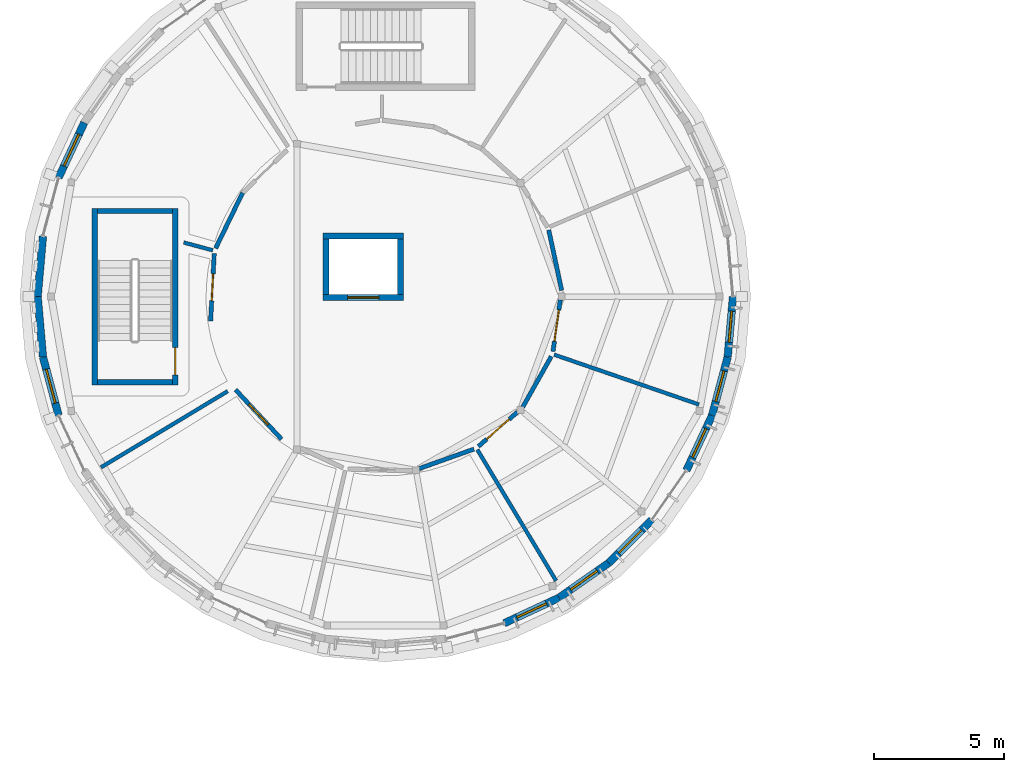
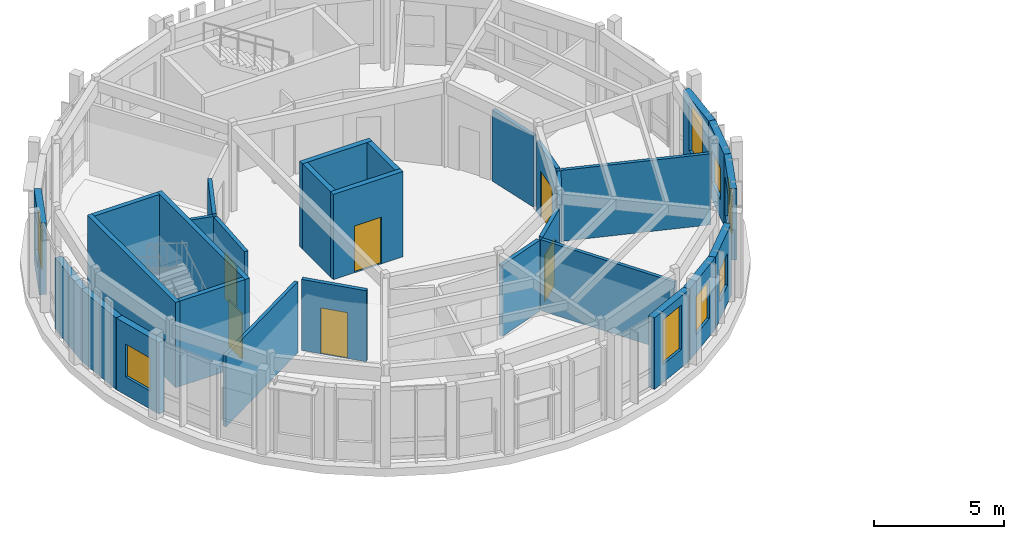
# One storey, part 19 of 30: 30 walls, 8 windows, 6 doors, 14 openings.
"""IFC4 building model written with IfcOpenShell, lengths in metres."""

import ifcopenshell
import ifcopenshell.guid

model = None  # the IFC model being written
_history = None  # IfcOwnerHistory: only IFC2X3 demands one
_inside = {}  # id of a spatial element -> (the spatial element, [elements in it])
_under = {}  # id of a project, library or spatial element -> (it, [spatial elements below it])
_declared = {}  # id of a project -> (the project, [libraries it declares])
_typed = {}  # id of a type object -> (the type object, [elements of that type])
_made_of = {}  # id of a material, layer set ... -> (it, [elements and type objects made of it])


def new_model(schema):
    """Start an empty IFC model of exactly this schema.

    Asked for "IFC4X3", IfcOpenShell would pick the latest addendum, in which some entities
    have other attributes; the version numbers below select the first issue.
    IFC2X3 requires an IfcOwnerHistory on every rooted entity: one is made here for all.
    """
    global model, _history
    if schema == "IFC4X3":
        model = ifcopenshell.file(schema_version=(4, 3, 0, 0))
    else:
        model = ifcopenshell.file(schema=schema)
    _inside.clear()
    _under.clear()
    _declared.clear()
    _typed.clear()
    _made_of.clear()
    _history = None
    if model.schema == "IFC2X3":
        org = make("IfcOrganization", Name="unknown")
        user = make(
            "IfcPersonAndOrganization",
            ThePerson=make("IfcPerson", FamilyName="unknown"),
            TheOrganization=org,
        )
        app = make(
            "IfcApplication",
            ApplicationDeveloper=org,
            Version="unknown",
            ApplicationFullName="unknown",
            ApplicationIdentifier="unknown",
        )
        _history = make(
            "IfcOwnerHistory",
            OwningUser=user,
            OwningApplication=app,
            ChangeAction="ADDED",
            CreationDate=0,
        )
    return model


def make(cls, **values):
    """One entity of the class cls with the attributes given. An attribute that is None is left unset."""
    return model.create_entity(
        cls, **{name: value for name, value in values.items() if value is not None}
    )


def rooted(cls, **values):
    """An entity with a GlobalId (a new one), such as an element, a storey or a relation."""
    return make(cls, GlobalId=ifcopenshell.guid.new(), OwnerHistory=_history, **values)


def si_unit(unit_type, name, prefix=None):
    """IfcSIUnit, for example si_unit("LENGTHUNIT", "METRE", prefix="MILLI")."""
    return make("IfcSIUnit", UnitType=unit_type, Prefix=prefix, Name=name)


def assignment(units):
    """IfcUnitAssignment: the units of a project."""
    return None if units is None else make("IfcUnitAssignment", Units=units)


def point(xyz):
    """IfcCartesianPoint."""
    return None if xyz is None else make("IfcCartesianPoint", Coordinates=xyz)


def direction(xyz):
    """IfcDirection."""
    return None if xyz is None else make("IfcDirection", DirectionRatios=xyz)


def frame(location, z_axis=None, x_axis=None):
    """IfcAxis2Placement3D, a coordinate frame: its origin and axes. An axis left out is left unset."""
    return make(
        "IfcAxis2Placement3D",
        Location=point(location),
        Axis=direction(z_axis),
        RefDirection=direction(x_axis),
    )


def frame_2d(location, x_axis=None):
    """IfcAxis2Placement2D, a coordinate frame in the plane: its origin and x axis."""
    return make(
        "IfcAxis2Placement2D", Location=point(location), RefDirection=direction(x_axis)
    )


def origin():
    """The frame at (0, 0, 0) with its axes left unset."""
    return frame((0.0, 0.0, 0.0))


def place(relative_to, where):
    """IfcLocalPlacement: puts the frame where relative to a parent placement (None: the world)."""
    return make(
        "IfcLocalPlacement", PlacementRelTo=relative_to, RelativePlacement=where
    )


def context(
    kind, dimensions, precision=None, world=None, true_north=None, identifier=None
):
    """IfcGeometricRepresentationContext, for example the 3D "Model" context."""
    return make(
        "IfcGeometricRepresentationContext",
        ContextIdentifier=identifier,
        ContextType=kind,
        CoordinateSpaceDimension=dimensions,
        Precision=precision,
        WorldCoordinateSystem=world,
        TrueNorth=true_north,
    )


def subcontext(parent, identifier, kind, view, scale=None):
    """IfcGeometricRepresentationSubContext, for example "Body" below "Model"."""
    return make(
        "IfcGeometricRepresentationSubContext",
        ContextIdentifier=identifier,
        ContextType=kind,
        ParentContext=parent,
        TargetScale=scale,
        TargetView=view,
    )


def project(units=None, contexts=None):
    """IfcProject with its units and contexts."""
    return rooted(
        "IfcProject",
        Name="project",
        RepresentationContexts=contexts,
        UnitsInContext=assignment(units),
    )


def spatial(cls, under=None, at=None, **own):
    """A site, building, storey or space (cls), placed at a placement, below another one or the project."""
    s = rooted(cls, ObjectPlacement=at, **own)
    if under is not None:
        _under.setdefault(under.id(), (under, []))[1].append(s)
    return s


def profile(cls, at=None, kind="AREA", **sizes):
    """A parametric profile (cls). Its sizes go by their IFC names, for example OverallWidth=200.0."""
    return make(cls, ProfileType=kind, Position=at, **sizes)


def rectangle(**sizes):
    """IfcRectangleProfileDef."""
    return profile("IfcRectangleProfileDef", **sizes)


def extrude(swept, where, along, depth):
    """IfcExtrudedAreaSolid: the profile swept, set in the frame where, extruded along a direction by depth."""
    return make(
        "IfcExtrudedAreaSolid",
        SweptArea=swept,
        Position=where,
        ExtrudedDirection=direction(along),
        Depth=depth,
    )


def shape(context_of_items, identifier, shape_type, items):
    """IfcShapeRepresentation: the items that make up one representation, for example the "Body"."""
    return make(
        "IfcShapeRepresentation",
        ContextOfItems=context_of_items,
        RepresentationIdentifier=identifier,
        RepresentationType=shape_type,
        Items=items,
    )


def material(Name=None, Category=None):
    """IfcMaterial."""
    return make("IfcMaterial", Name=Name, Category=Category)


def layer(
    of_material, thickness, ventilated=None, Name=None, Category=None, Priority=None
):
    """IfcMaterialLayer: one layer of a wall or slab, of a material (None: an air gap)."""
    return make(
        "IfcMaterialLayer",
        Material=of_material,
        LayerThickness=thickness,
        IsVentilated=ventilated,
        Name=Name,
        Category=Category,
        Priority=Priority,
    )


def layer_set(layers, Name=None):
    """IfcMaterialLayerSet."""
    return make("IfcMaterialLayerSet", MaterialLayers=layers, LayerSetName=Name)


def made_of(thing, what):
    """Note that an element or type object is made of a material, layer set ...; save() writes the relation."""
    if what is not None:
        _made_of.setdefault(what.id(), (what, []))[1].append(thing)
    return thing


def type_object(cls, material=None, **own):
    """A type object (cls), such as IfcWallType, which elements share."""
    return made_of(rooted(cls, **own), material)


def element(
    cls,
    number,
    at=None,
    inside=None,
    cuts=None,
    type_object=None,
    material=None,
    context=None,
    identifier="Body",
    shape_type=None,
    held_by="IfcProductDefinitionShape",
    body=None,
    shapes=None,
    **own,
):
    """One element of the class cls, such as IfcWall. Its Tag is "e" and its number.

    at: its placement. inside: the storey or other place that contains it. cuts: it is an
    opening in that element (IfcRelVoidsElement). A single representation is given by context,
    identifier, shape_type and body (its items); several are given by shapes. held_by: the class
    of the entity that holds the representations. save() writes the other relations.
    """
    e = rooted(cls, Tag="e%d" % number, ObjectPlacement=at, **own)
    if body is not None:
        shapes = [shape(context, identifier, shape_type, body)]
    if shapes is not None:
        e.Representation = make(held_by, Representations=shapes)
    if inside is not None:
        _inside.setdefault(inside.id(), (inside, []))[1].append(e)
    if cuts is not None:
        rooted(
            "IfcRelVoidsElement", RelatingBuildingElement=cuts, RelatedOpeningElement=e
        )
    if type_object is not None:
        _typed.setdefault(type_object.id(), (type_object, []))[1].append(e)
    return made_of(e, material)


def fill(opening, filler):
    """IfcRelFillsElement: the door or window that sits in an opening."""
    return rooted(
        "IfcRelFillsElement",
        RelatingOpeningElement=opening,
        RelatedBuildingElement=filler,
    )


def aggregate(whole, parts):
    """IfcRelAggregates: a whole, such as a stair, and the parts it consists of."""
    return rooted("IfcRelAggregates", RelatingObject=whole, RelatedObjects=parts)


def save(model, path):
    """Write the relations noted so far, then the file.

    IfcRelAggregates (storeys below a building ...), IfcRelContainedInSpatialStructure (elements
    in a storey), IfcRelDefinesByType, IfcRelAssociatesMaterial and IfcRelDeclares: one each for
    every whole, place, type object, material and project.
    """
    for whole, parts in _under.values():
        aggregate(whole, parts)
    for where, things in _inside.values():
        rooted(
            "IfcRelContainedInSpatialStructure",
            RelatedElements=things,
            RelatingStructure=where,
        )
    for kind, things in _typed.values():
        rooted("IfcRelDefinesByType", RelatedObjects=things, RelatingType=kind)
    for what, things in _made_of.values():
        rooted("IfcRelAssociatesMaterial", RelatedObjects=things, RelatingMaterial=what)
    for by, libraries in _declared.values():
        rooted("IfcRelDeclares", RelatingContext=by, RelatedDefinitions=libraries)
    model.write(path)


model = new_model("IFC4")

# Units and contexts
model_context = context("Model", 3, precision=1e-05, world=origin(), true_north=direction((0.0, 1.0)))
body_context = subcontext(model_context, "Body", "Model", "MODEL_VIEW")
ifc_project = project(units=[si_unit("LENGTHUNIT", "METRE"), si_unit("AREAUNIT", "SQUARE_METRE"), si_unit("VOLUMEUNIT", "CUBIC_METRE"), si_unit("PLANEANGLEUNIT", "RADIAN"), si_unit("MASSUNIT", "GRAM", prefix="KILO")], contexts=[model_context])

# Site, building, storey
site_placement = place(None, origin())
site = spatial("IfcSite", under=ifc_project, at=site_placement, CompositionType="ELEMENT")
building_placement = place(site_placement, origin())
building = spatial("IfcBuilding", under=site, at=building_placement, Name="Aldenvaro Health Centre", CompositionType="ELEMENT")
storey_placement = place(building_placement, frame((0.0, 0.0, 17.14990234375)))
storey = spatial("IfcBuildingStorey", under=building, at=storey_placement, Name="L04", CompositionType="ELEMENT", Elevation=17.14990234375)

# Walls
ifc_material_1 = material(Name="Gypsum Stud Acoustic Assembly")
ifc_layer_1 = layer(ifc_material_1, 0.14501953125, Name="Gypsum Stud Acoustic Assembly")
ifc_layer_set_1 = layer_set([ifc_layer_1], Name="Gypsum Stud Acoustic Assembly")
wall_type_1 = type_object("IfcWallType", Name="WL-CLN-145", PredefinedType="PARTITIONING", material=ifc_layer_set_1)
wall_1_placement = place(storey_placement, frame((11.85205078125, 101.281005859375, 0.0), z_axis=(0.0, 0.0, 1.0), x_axis=(-0.965846685591, 0.259114221787, 0.0)))
element("IfcWall", 1, at=wall_1_placement, inside=storey, type_object=wall_type_1, Name="D4 L04 clinical partition 2.1", PredefinedType="PARTITIONING", context=body_context, shape_type="SweptSolid", body=[
    extrude(rectangle(XDim=1.161865234375, YDim=0.14501953125, at=frame_2d((0.5810546875, 0.0))), origin(), (0.0, 0.0, 1.0), 3.343994140625),
])
wall_2_placement = place(storey_placement, frame((12.425048828125, 95.85009765625, 0.0), z_axis=(0.0, 0.0, 1.0), x_axis=(-0.857148493381, -0.515069374255, 0.0)))
element("IfcWall", 2, at=wall_2_placement, inside=storey, type_object=wall_type_1, Name="D4 L04 clinical partition 3.2", PredefinedType="PARTITIONING", context=body_context, shape_type="SweptSolid", body=[
    extrude(rectangle(XDim=5.694580078125, YDim=0.14501953125, at=frame_2d((2.84716796875, 0.0))), origin(), (0.0, 0.0, 1.0), 3.343994140625),
])
wall_3_placement = place(storey_placement, frame((22.044921875, 93.60009765625, 0.0), z_axis=(0.0, 0.0, 1.0), x_axis=(0.515043444679, -0.857164074197, 0.0)))
element("IfcWall", 3, at=wall_3_placement, inside=storey, type_object=wall_type_1, Name="D4 L04 clinical partition 5.1", PredefinedType="PARTITIONING", context=body_context, shape_type="SweptSolid", body=[
    extrude(rectangle(XDim=5.898681640625, YDim=0.14501953125, at=frame_2d((2.94921875, 0.0))), origin(), (0.0, 0.0, 1.0), 3.343994140625),
])
wall_4_placement = place(storey_placement, frame((25.008056640625, 97.259033203125, 0.0), z_axis=(0.0, 0.0, 1.0), x_axis=(0.945537377012, -0.325513546068, 0.0)))
element("IfcWall", 4, at=wall_4_placement, inside=storey, type_object=wall_type_1, Name="D4 L04 clinical partition 6.1", PredefinedType="PARTITIONING", context=body_context, shape_type="SweptSolid", body=[
    extrude(rectangle(XDim=5.898193359375, YDim=0.14501953125, at=frame_2d((2.94921875, 0.0))), origin(), (0.0, 0.0, 1.0), 3.343994140625),
])
ifc_layer_2 = layer(ifc_material_1, 0.1650390625, Name="Gypsum Stud Acoustic Assembly")
ifc_layer_set_2 = layer_set([ifc_layer_2], Name="Gypsum Stud Acoustic Assembly")
wall_type_2 = type_object("IfcWallType", Name="WL-COR-165", PredefinedType="PARTITIONING", material=ifc_layer_set_2)
wall_5_placement = place(storey_placement, frame((12.9990234375, 103.4970703125, 0.0), z_axis=(0.0, 0.0, 1.0), x_axis=(-0.437088964267, -0.899418277175, 0.0)))
element("IfcWall", 5, at=wall_5_placement, inside=storey, type_object=wall_type_2, Name="D4 L04 corridor wall 01.2", PredefinedType="PARTITIONING", context=body_context, shape_type="SweptSolid", body=[
    extrude(rectangle(XDim=2.37939453125, YDim=0.1650390625, at=frame_2d((1.189697265625, 0.0))), origin(), (0.0, 0.0, 1.0), 3.343994140625),
])

# Wall, opening, door
wall_6_placement = place(storey_placement, frame((11.906005859375, 101.162109375, 0.0), z_axis=(0.0, 0.0, 1.0), x_axis=(-0.053559631757, -0.998564652812, 0.0)))
wall_6 = element("IfcWall", 6, at=wall_6_placement, inside=storey, type_object=wall_type_2, Name="D4 L04 corridor wall 02.1", PredefinedType="PARTITIONING", context=body_context, shape_type="SweptSolid", body=[
    extrude(rectangle(XDim=2.61181640625, YDim=0.1650390625, at=frame_2d((1.305908203125, 0.0))), origin(), (0.0, 0.0, 1.0), 3.343994140625),
])
opening_1_placement = place(wall_6_placement, frame((0.785888671875, 0.0, 0.0)))
opening_1 = element("IfcOpeningElement", 7, at=opening_1_placement, cuts=wall_6, Name="Opening D-04", PredefinedType="OPENING", context=body_context, shape_type="SweptSolid", body=[
    extrude(rectangle(XDim=1.0400390625, YDim=2.139892578125, at=frame_2d((0.52001953125, 1.06982421875))), frame((0.0, 0.092529296875, 0.0), z_axis=(0.0, -1.0, 0.0), x_axis=(1.0, 0.0, 0.0)), (0.0, 0.0, 1.0), 0.18505859375),
])
ifc_material_2 = material(Name="Solid Core Acoustic Timber Door", Category="wood")
door_type_1 = type_object("IfcDoorType", Name="DR-CLN-04", OperationType="NOTDEFINED", PredefinedType="DOOR", material=ifc_material_2)
door_1_placement = place(opening_1_placement, origin())
door_1 = element("IfcDoor", 8, at=door_1_placement, inside=storey, type_object=door_type_1, Name="Audiology Booth and ENT Clinic Door", OperationType="SINGLE_SWING_RIGHT", OverallHeight=2.139892578125, OverallWidth=1.0400390625, PredefinedType="DOOR", context=body_context, shape_type="SweptSolid", body=[
    extrude(rectangle(XDim=1.0400390625, YDim=2.139892578125, at=frame_2d((0.52001953125, 1.06982421875))), frame((0.0, 0.02490234375, 0.0), z_axis=(0.0, -1.0, 0.0), x_axis=(1.0, 0.0, 0.0)), (0.0, 0.0, 1.0), 0.050048828125),
])
fill(opening_1, door_1)

wall_7_placement = place(storey_placement, frame((12.72412109375, 95.912109375, 0.0), z_axis=(0.0, 0.0, 1.0), x_axis=(0.680938469168, -0.732340631952, 0.0)))
wall_7 = element("IfcWall", 9, at=wall_7_placement, inside=storey, type_object=wall_type_2, Name="D4 L04 corridor wall 03.1", PredefinedType="PARTITIONING", context=body_context, shape_type="SweptSolid", body=[
    extrude(rectangle(XDim=2.6123046875, YDim=0.1650390625, at=frame_2d((1.30615234375, 0.0))), origin(), (0.0, 0.0, 1.0), 3.343994140625),
])
opening_2_placement = place(wall_7_placement, frame((0.76611328125, 0.0, 0.0)))
opening_2 = element("IfcOpeningElement", 10, at=opening_2_placement, cuts=wall_7, Name="Opening D-05", PredefinedType="OPENING", context=body_context, shape_type="SweptSolid", body=[
    extrude(rectangle(XDim=1.080078125, YDim=2.159912109375, at=frame_2d((0.5400390625, 1.080078125))), frame((0.0, 0.092529296875, 0.0), z_axis=(0.0, -1.0, 0.0), x_axis=(1.0, 0.0, 0.0)), (0.0, 0.0, 1.0), 0.18505859375),
])
door_type_2 = type_object("IfcDoorType", Name="DR-CLN-05", OperationType="NOTDEFINED", PredefinedType="DOOR", material=ifc_material_2)
door_2_placement = place(opening_2_placement, origin())
door_2 = element("IfcDoor", 11, at=door_2_placement, inside=storey, type_object=door_type_2, Name="Ophthalmology Vision Suite Door", OperationType="SINGLE_SWING_LEFT", OverallHeight=2.159912109375, OverallWidth=1.080078125, PredefinedType="DOOR", context=body_context, shape_type="SweptSolid", body=[
    extrude(rectangle(XDim=1.080078125, YDim=2.159912109375, at=frame_2d((0.5400390625, 1.080078125))), frame((0.0, 0.02490234375, 0.0), z_axis=(0.0, -1.0, 0.0), x_axis=(1.0, 0.0, 0.0)), (0.0, 0.0, 1.0), 0.050048828125),
])
fill(opening_2, door_2)

# Wall
wall_8_placement = place(storey_placement, frame((19.802001953125, 92.867919921875, 0.0), z_axis=(0.0, 0.0, 1.0), x_axis=(0.942088643155, 0.335363964132, 0.0)))
element("IfcWall", 12, at=wall_8_placement, inside=storey, type_object=wall_type_2, Name="D4 L04 corridor wall 04.2", PredefinedType="PARTITIONING", context=body_context, shape_type="SweptSolid", body=[
    extrude(rectangle(XDim=2.242919921875, YDim=0.1650390625, at=frame_2d((1.12158203125, 0.0))), origin(), (0.0, 0.0, 1.0), 3.343994140625),
])

# Wall, opening, door
wall_9_placement = place(storey_placement, frame((22.087890625, 93.72412109375, 0.0), z_axis=(0.0, 0.0, 1.0), x_axis=(0.750064751016, 0.66136439977, 0.0)))
wall_9 = element("IfcWall", 13, at=wall_9_placement, inside=storey, type_object=wall_type_2, Name="D4 L04 corridor wall 05.1", PredefinedType="PARTITIONING", context=body_context, shape_type="SweptSolid", body=[
    extrude(rectangle(XDim=2.00927734375, YDim=0.1650390625, at=frame_2d((1.004638671875, 0.0))), origin(), (0.0, 0.0, 1.0), 3.343994140625),
])
opening_3_placement = place(wall_9_placement, frame((0.424072265625, 0.0, 0.0)))
opening_3 = element("IfcOpeningElement", 14, at=opening_3_placement, cuts=wall_9, Name="Opening D-07", PredefinedType="OPENING", context=body_context, shape_type="SweptSolid", body=[
    extrude(rectangle(XDim=1.159912109375, YDim=2.179931640625, at=frame_2d((0.580078125, 1.08984375))), frame((0.0, 0.092529296875, 0.0), z_axis=(0.0, -1.0, 0.0), x_axis=(1.0, 0.0, 0.0)), (0.0, 0.0, 1.0), 0.18505859375),
])
ifc_material_3 = material(Name="Bariatric Consulting Timber Door", Category="wood")
door_type_3 = type_object("IfcDoorType", Name="DR-CLN-07", OperationType="NOTDEFINED", PredefinedType="DOOR", material=ifc_material_3)
door_3_placement = place(opening_3_placement, origin())
door_3 = element("IfcDoor", 15, at=door_3_placement, inside=storey, type_object=door_type_3, Name="Telemedicine Consultation Hub Door", OperationType="SINGLE_SWING_LEFT", OverallHeight=2.179931640625, OverallWidth=1.159912109375, PredefinedType="DOOR", context=body_context, shape_type="SweptSolid", body=[
    extrude(rectangle(XDim=1.159912109375, YDim=2.179931640625, at=frame_2d((0.580078125, 1.08984375))), frame((0.0, 0.02490234375, 0.0), z_axis=(0.0, -1.0, 0.0), x_axis=(1.0, 0.0, 0.0)), (0.0, 0.0, 1.0), 0.050048828125),
])
fill(opening_3, door_3)

# Wall
wall_10_placement = place(storey_placement, frame((23.7939453125, 95.237060546875, 0.0), z_axis=(0.0, 0.0, 1.0), x_axis=(0.491278846753, 0.87100235059, 0.0)))
element("IfcWall", 16, at=wall_10_placement, inside=storey, type_object=wall_type_2, Name="D4 L04 corridor wall 05.2", PredefinedType="PARTITIONING", context=body_context, shape_type="SweptSolid", body=[
    extrude(rectangle(XDim=2.2431640625, YDim=0.1650390625, at=frame_2d((1.12158203125, 0.0))), origin(), (0.0, 0.0, 1.0), 3.343994140625),
])

# Wall, opening, door
wall_11_placement = place(storey_placement, frame((24.9619140625, 97.382080078125, 0.0), z_axis=(0.0, 0.0, 1.0), x_axis=(0.140164013462, 0.990128299429, 0.0)))
wall_11 = element("IfcWall", 17, at=wall_11_placement, inside=storey, type_object=wall_type_2, Name="D4 L04 corridor wall 06.1", PredefinedType="PARTITIONING", context=body_context, shape_type="SweptSolid", body=[
    extrude(rectangle(XDim=2.01171875, YDim=0.1650390625, at=frame_2d((1.005859375, 0.0))), origin(), (0.0, 0.0, 1.0), 3.343994140625),
])
opening_4_placement = place(wall_11_placement, frame((0.39599609375, 0.0, 0.0)))
opening_4 = element("IfcOpeningElement", 18, at=opening_4_placement, cuts=wall_11, Name="Opening D-08", PredefinedType="OPENING", context=body_context, shape_type="SweptSolid", body=[
    extrude(rectangle(XDim=1.219970703125, YDim=2.179931640625, at=frame_2d((0.60986328125, 1.08984375))), frame((0.0, 0.092529296875, 0.0), z_axis=(0.0, -1.0, 0.0), x_axis=(1.0, 0.0, 0.0)), (0.0, 0.0, 1.0), 0.18505859375),
])
ifc_material_4 = material(Name="Procedure Suite Timber Door", Category="wood")
door_type_4 = type_object("IfcDoorType", Name="DR-CLN-08", OperationType="NOTDEFINED", PredefinedType="DOOR", material=ifc_material_4)
door_4_placement = place(opening_4_placement, origin())
door_4 = element("IfcDoor", 19, at=door_4_placement, inside=storey, type_object=door_type_4, Name="Memory Care Consultation Room Door", OperationType="SINGLE_SWING_RIGHT", OverallHeight=2.179931640625, OverallWidth=1.219970703125, PredefinedType="DOOR", context=body_context, shape_type="SweptSolid", body=[
    extrude(rectangle(XDim=1.219970703125, YDim=2.179931640625, at=frame_2d((0.60986328125, 1.08984375))), frame((0.0, 0.02490234375, 0.0), z_axis=(0.0, -1.0, 0.0), x_axis=(1.0, 0.0, 0.0)), (0.0, 0.0, 1.0), 0.050048828125),
])
fill(opening_4, door_4)

# Wall
wall_12_placement = place(storey_placement, frame((25.2958984375, 99.737060546875, 0.0), z_axis=(0.0, 0.0, 1.0), x_axis=(-0.209199758456, 0.977872926848, 0.0)))
element("IfcWall", 20, at=wall_12_placement, inside=storey, type_object=wall_type_2, Name="D4 L04 corridor wall 06.2", PredefinedType="PARTITIONING", context=body_context, shape_type="SweptSolid", body=[
    extrude(rectangle(XDim=2.379638671875, YDim=0.1650390625, at=frame_2d((1.18994140625, 0.0))), origin(), (0.0, 0.0, 1.0), 3.343994140625),
])

# Wall, opening, window
ifc_material_5 = material(Name="Cross-laminated timber CLT E1", Category="wood")
ifc_layer_3 = layer(ifc_material_5, 0.2900390625, Name="Cross-laminated timber CLT E1", Category="wood")
ifc_layer_set_3 = layer_set([ifc_layer_3], Name="Cross-laminated timber CLT E1")
wall_type_3 = type_object("IfcWallType", Name="WL-EXT-290", PredefinedType="ELEMENTEDWALL", material=ifc_layer_set_3)
wall_13_placement = place(storey_placement, frame((31.89990234375, 99.5, 0.0), z_axis=(0.0, 0.0, 1.0), x_axis=(-0.087274565792, -0.996184295282, 0.0)))
wall_13 = element("IfcWall", 21, at=wall_13_placement, inside=storey, type_object=wall_type_3, Name="D4 L04 exterior wall 01", PredefinedType="ELEMENTEDWALL", context=body_context, shape_type="SweptSolid", body=[
    extrude(rectangle(XDim=2.3359375, YDim=0.2900390625, at=frame_2d((1.16796875, 0.0))), origin(), (0.0, 0.0, 1.0), 3.369140625),
])
opening_5_placement = place(wall_13_placement, frame((0.568115234375, 0.0, 0.85009765625)))
opening_5 = element("IfcOpeningElement", 22, at=opening_5_placement, cuts=wall_13, Name="Opening W-39", PredefinedType="OPENING", context=body_context, shape_type="SweptSolid", body=[
    extrude(rectangle(XDim=1.199951171875, YDim=2.25, at=frame_2d((0.60009765625, 1.125))), frame((0.0, 0.155029296875, 0.0), z_axis=(0.0, -1.0, 0.0), x_axis=(1.0, 0.0, 0.0)), (0.0, 0.0, 1.0), 0.31005859375),
])
ifc_material_6 = material(Name="Thermally Broken Aluminium Low-E Glass", Category="aluminium")
window_type_1 = type_object("IfcWindowType", Name="WN-EXT-39", PartitioningType="SINGLE_PANEL", PredefinedType="WINDOW", material=ifc_material_6)
window_1_placement = place(opening_5_placement, origin())
window_1 = element("IfcWindow", 23, at=window_1_placement, inside=storey, type_object=window_type_1, Name="D4 L04 clinical window 01", OverallHeight=2.25, OverallWidth=1.199951171875, PartitioningType="SINGLE_PANEL", PredefinedType="WINDOW", context=body_context, shape_type="SweptSolid", body=[
    extrude(rectangle(XDim=1.199951171875, YDim=2.25, at=frame_2d((0.60009765625, 1.125))), frame((0.0, 0.030029296875, 0.0), z_axis=(0.0, -1.0, 0.0), x_axis=(1.0, 0.0, 0.0)), (0.0, 0.0, 1.0), 0.06005859375),
])
fill(opening_5, window_1)

wall_14_placement = place(storey_placement, frame((31.696044921875, 97.173095703125, 0.0), z_axis=(0.0, 0.0, 1.0), x_axis=(-0.258612423585, -0.965981166673, 0.0)))
wall_14 = element("IfcWall", 24, at=wall_14_placement, inside=storey, type_object=wall_type_3, Name="D4 L04 exterior wall 02", PredefinedType="ELEMENTEDWALL", context=body_context, shape_type="SweptSolid", body=[
    extrude(rectangle(XDim=2.33544921875, YDim=0.2900390625, at=frame_2d((1.167724609375, 0.0))), origin(), (0.0, 0.0, 1.0), 3.369140625),
])
opening_6_placement = place(wall_14_placement, frame((0.55810546875, 0.0, 0.85009765625)))
opening_6 = element("IfcOpeningElement", 25, at=opening_6_placement, cuts=wall_14, Name="Opening W-40", PredefinedType="OPENING", context=body_context, shape_type="SweptSolid", body=[
    extrude(rectangle(XDim=1.219970703125, YDim=1.5, at=frame_2d((0.60986328125, 0.75))), frame((0.0, 0.155029296875, 0.0), z_axis=(0.0, -1.0, 0.0), x_axis=(1.0, 0.0, 0.0)), (0.0, 0.0, 1.0), 0.31005859375),
])
window_type_2 = type_object("IfcWindowType", Name="WN-EXT-40", PartitioningType="SINGLE_PANEL", PredefinedType="WINDOW", material=ifc_material_6)
window_2_placement = place(opening_6_placement, origin())
window_2 = element("IfcWindow", 26, at=window_2_placement, inside=storey, type_object=window_type_2, Name="D4 L04 clinical window 02", OverallHeight=1.5, OverallWidth=1.219970703125, PartitioningType="SINGLE_PANEL", PredefinedType="WINDOW", context=body_context, shape_type="SweptSolid", body=[
    extrude(rectangle(XDim=1.219970703125, YDim=1.5, at=frame_2d((0.60986328125, 0.75))), frame((0.0, 0.030029296875, 0.0), z_axis=(0.0, -1.0, 0.0), x_axis=(1.0, 0.0, 0.0)), (0.0, 0.0, 1.0), 0.06005859375),
])
fill(opening_6, window_2)

wall_15_placement = place(storey_placement, frame((31.092041015625, 94.9169921875, 0.0), z_axis=(0.0, 0.0, 1.0), x_axis=(-0.422587894318, -0.906321946979, 0.0)))
wall_15 = element("IfcWall", 27, at=wall_15_placement, inside=storey, type_object=wall_type_3, Name="D4 L04 exterior wall 03", PredefinedType="ELEMENTEDWALL", context=body_context, shape_type="SweptSolid", body=[
    extrude(rectangle(XDim=2.335693359375, YDim=0.2900390625, at=frame_2d((1.16796875, 0.0))), origin(), (0.0, 0.0, 1.0), 3.369140625),
])
opening_7_placement = place(wall_15_placement, frame((0.55810546875, 0.0, 0.85009765625)))
opening_7 = element("IfcOpeningElement", 28, at=opening_7_placement, cuts=wall_15, Name="Opening W-41", PredefinedType="OPENING", context=body_context, shape_type="SweptSolid", body=[
    extrude(rectangle(XDim=1.219970703125, YDim=1.800048828125, at=frame_2d((0.60986328125, 0.89990234375))), frame((0.0, 0.155029296875, 0.0), z_axis=(0.0, -1.0, 0.0), x_axis=(1.0, 0.0, 0.0)), (0.0, 0.0, 1.0), 0.31005859375),
])
window_type_3 = type_object("IfcWindowType", Name="WN-EXT-41", PartitioningType="SINGLE_PANEL", PredefinedType="WINDOW", material=ifc_material_6)
window_3_placement = place(opening_7_placement, origin())
window_3 = element("IfcWindow", 29, at=window_3_placement, inside=storey, type_object=window_type_3, Name="D4 L04 clinical window 03", OverallHeight=1.800048828125, OverallWidth=1.219970703125, PartitioningType="SINGLE_PANEL", PredefinedType="WINDOW", context=body_context, shape_type="SweptSolid", body=[
    extrude(rectangle(XDim=1.219970703125, YDim=1.800048828125, at=frame_2d((0.60986328125, 0.89990234375))), frame((0.0, 0.030029296875, 0.0), z_axis=(0.0, -1.0, 0.0), x_axis=(1.0, 0.0, 0.0)), (0.0, 0.0, 1.0), 0.06005859375),
])
fill(opening_7, window_3)

wall_16_placement = place(storey_placement, frame((28.764892578125, 90.886962890625, 0.0), z_axis=(0.0, 0.0, 1.0), x_axis=(-0.707106781187, -0.707106781187, 0.0)))
wall_16 = element("IfcWall", 30, at=wall_16_placement, inside=storey, type_object=wall_type_3, Name="D4 L04 exterior wall 05", PredefinedType="ELEMENTEDWALL", context=body_context, shape_type="SweptSolid", body=[
    extrude(rectangle(XDim=2.336181640625, YDim=0.2900390625, at=frame_2d((1.16796875, 0.0))), origin(), (0.0, 0.0, 1.0), 3.369140625),
])
opening_8_placement = place(wall_16_placement, frame((0.54296875, 0.0, 0.85009765625)))
opening_8 = element("IfcOpeningElement", 31, at=opening_8_placement, cuts=wall_16, Name="Opening W-42", PredefinedType="OPENING", context=body_context, shape_type="SweptSolid", body=[
    extrude(rectangle(XDim=1.25, YDim=1.5, at=frame_2d((0.625, 0.75))), frame((0.0, 0.155029296875, 0.0), z_axis=(0.0, -1.0, 0.0), x_axis=(1.0, 0.0, 0.0)), (0.0, 0.0, 1.0), 0.31005859375),
])
window_type_4 = type_object("IfcWindowType", Name="WN-EXT-42", PartitioningType="SINGLE_PANEL", PredefinedType="WINDOW", material=ifc_material_6)
window_4_placement = place(opening_8_placement, origin())
window_4 = element("IfcWindow", 32, at=window_4_placement, inside=storey, type_object=window_type_4, Name="D4 L04 clinical window 05", OverallHeight=1.5, OverallWidth=1.25, PartitioningType="SINGLE_PANEL", PredefinedType="WINDOW", context=body_context, shape_type="SweptSolid", body=[
    extrude(rectangle(XDim=1.25, YDim=1.5, at=frame_2d((0.625, 0.75))), frame((0.0, 0.030029296875, 0.0), z_axis=(0.0, -1.0, 0.0), x_axis=(1.0, 0.0, 0.0)), (0.0, 0.0, 1.0), 0.06005859375),
])
fill(opening_8, window_4)

wall_17_placement = place(storey_placement, frame((27.113037109375, 89.235107421875, 0.0), z_axis=(0.0, 0.0, 1.0), x_axis=(-0.819045278347, -0.573728883722, 0.0)))
wall_17 = element("IfcWall", 33, at=wall_17_placement, inside=storey, type_object=wall_type_3, Name="D4 L04 exterior wall 06", PredefinedType="ELEMENTEDWALL", context=body_context, shape_type="SweptSolid", body=[
    extrude(rectangle(XDim=2.335693359375, YDim=0.2900390625, at=frame_2d((1.16796875, 0.0))), origin(), (0.0, 0.0, 1.0), 3.369140625),
])
opening_9_placement = place(wall_17_placement, frame((0.54296875, 0.0, 0.85009765625)))
opening_9 = element("IfcOpeningElement", 34, at=opening_9_placement, cuts=wall_17, Name="Opening W-43", PredefinedType="OPENING", context=body_context, shape_type="SweptSolid", body=[
    extrude(rectangle(XDim=1.25, YDim=1.800048828125, at=frame_2d((0.625, 0.89990234375))), frame((0.0, 0.155029296875, 0.0), z_axis=(0.0, -1.0, 0.0), x_axis=(1.0, 0.0, 0.0)), (0.0, 0.0, 1.0), 0.31005859375),
])
window_type_5 = type_object("IfcWindowType", Name="WN-EXT-43", PartitioningType="SINGLE_PANEL", PredefinedType="WINDOW", material=ifc_material_6)
window_5_placement = place(opening_9_placement, origin())
window_5 = element("IfcWindow", 35, at=window_5_placement, inside=storey, type_object=window_type_5, Name="D4 L04 clinical window 06", OverallHeight=1.800048828125, OverallWidth=1.25, PartitioningType="SINGLE_PANEL", PredefinedType="WINDOW", context=body_context, shape_type="SweptSolid", body=[
    extrude(rectangle(XDim=1.25, YDim=1.800048828125, at=frame_2d((0.625, 0.89990234375))), frame((0.0, 0.030029296875, 0.0), z_axis=(0.0, -1.0, 0.0), x_axis=(1.0, 0.0, 0.0)), (0.0, 0.0, 1.0), 0.06005859375),
])
fill(opening_9, window_5)

wall_18_placement = place(storey_placement, frame((25.199951171875, 87.89501953125, 0.0), z_axis=(0.0, 0.0, 1.0), x_axis=(-0.906321946979, -0.422587894318, 0.0)))
wall_18 = element("IfcWall", 36, at=wall_18_placement, inside=storey, type_object=wall_type_3, Name="D4 L04 exterior wall 07", PredefinedType="ELEMENTEDWALL", context=body_context, shape_type="SweptSolid", body=[
    extrude(rectangle(XDim=2.335693359375, YDim=0.2900390625, at=frame_2d((1.16796875, 0.0))), origin(), (0.0, 0.0, 1.0), 3.369140625),
])
opening_10_placement = place(wall_18_placement, frame((0.54296875, 0.0, 0.85009765625)))
opening_10 = element("IfcOpeningElement", 37, at=opening_10_placement, cuts=wall_18, Name="Opening W-44", PredefinedType="OPENING", context=body_context, shape_type="SweptSolid", body=[
    extrude(rectangle(XDim=1.25, YDim=2.10009765625, at=frame_2d((0.625, 1.050048828125))), frame((0.0, 0.155029296875, 0.0), z_axis=(0.0, -1.0, 0.0), x_axis=(1.0, 0.0, 0.0)), (0.0, 0.0, 1.0), 0.31005859375),
])
window_type_6 = type_object("IfcWindowType", Name="WN-EXT-44", PartitioningType="SINGLE_PANEL", PredefinedType="WINDOW", material=ifc_material_6)
window_6_placement = place(opening_10_placement, origin())
window_6 = element("IfcWindow", 38, at=window_6_placement, inside=storey, type_object=window_type_6, Name="D4 L04 clinical window 07", OverallHeight=2.10009765625, OverallWidth=1.25, PartitioningType="SINGLE_PANEL", PredefinedType="WINDOW", context=body_context, shape_type="SweptSolid", body=[
    extrude(rectangle(XDim=1.25, YDim=2.10009765625, at=frame_2d((0.625, 1.050048828125))), frame((0.0, 0.030029296875, 0.0), z_axis=(0.0, -1.0, 0.0), x_axis=(1.0, 0.0, 0.0)), (0.0, 0.0, 1.0), 0.06005859375),
])
fill(opening_10, window_6)

wall_19_placement = place(storey_placement, frame((5.907958984375, 94.9169921875, 0.0), z_axis=(0.0, 0.0, 1.0), x_axis=(-0.258612423585, 0.965981166673, 0.0)))
wall_19 = element("IfcWall", 39, at=wall_19_placement, inside=storey, type_object=wall_type_3, Name="D4 L04 exterior wall 17", PredefinedType="ELEMENTEDWALL", context=body_context, shape_type="SweptSolid", body=[
    extrude(rectangle(XDim=2.33544921875, YDim=0.2900390625, at=frame_2d((1.167724609375, 0.0))), origin(), (0.0, 0.0, 1.0), 3.369140625),
])
opening_11_placement = place(wall_19_placement, frame((0.492919921875, 0.0, 0.85009765625)))
opening_11 = element("IfcOpeningElement", 40, at=opening_11_placement, cuts=wall_19, Name="Opening W-51", PredefinedType="OPENING", context=body_context, shape_type="SweptSolid", body=[
    extrude(rectangle(XDim=1.35009765625, YDim=1.550048828125, at=frame_2d((0.675048828125, 0.77490234375))), frame((0.0, 0.155029296875, 0.0), z_axis=(0.0, -1.0, 0.0), x_axis=(1.0, 0.0, 0.0)), (0.0, 0.0, 1.0), 0.31005859375),
])
window_type_7 = type_object("IfcWindowType", Name="WN-EXT-51", PartitioningType="SINGLE_PANEL", PredefinedType="WINDOW", material=ifc_material_6)
window_7_placement = place(opening_11_placement, origin())
window_7 = element("IfcWindow", 41, at=window_7_placement, inside=storey, type_object=window_type_7, Name="D4 L04 clinical window 17", OverallHeight=1.550048828125, OverallWidth=1.35009765625, PartitioningType="SINGLE_PANEL", PredefinedType="WINDOW", context=body_context, shape_type="SweptSolid", body=[
    extrude(rectangle(XDim=1.35009765625, YDim=1.550048828125, at=frame_2d((0.675048828125, 0.77490234375))), frame((0.0, 0.030029296875, 0.0), z_axis=(0.0, -1.0, 0.0), x_axis=(1.0, 0.0, 0.0)), (0.0, 0.0, 1.0), 0.06005859375),
])
fill(opening_11, window_7)

# Walls
for number, where, z_axis, x_axis, name in (
    (42, (5.303955078125, 97.173095703125, 0.0), (0.0, 0.0, 1.0), (-0.087274565792, 0.996184295282, 0.0), "D4 L04 exterior wall 18"),
    (43, (5.10009765625, 99.5, 0.0), (0.0, 0.0, 1.0), (0.087274565792, 0.996184295282, 0.0), "D4 L04 exterior wall 19"),
):
    element("IfcWall", number, at=place(storey_placement, frame(where, z_axis=z_axis, x_axis=x_axis)), inside=storey, type_object=wall_type_3, Name=name, PredefinedType="ELEMENTEDWALL", context=body_context, shape_type="SweptSolid", body=[
        extrude(rectangle(XDim=2.3359375, YDim=0.2900390625, at=frame_2d((1.16796875, 0.0))), origin(), (0.0, 0.0, 1.0), 3.369140625),
    ])

# Wall, opening, window
wall_20_placement = place(storey_placement, frame((5.907958984375, 104.0830078125, 0.0), z_axis=(0.0, 0.0, 1.0), x_axis=(0.422587894318, 0.906321946979, 0.0)))
wall_20 = element("IfcWall", 44, at=wall_20_placement, inside=storey, type_object=wall_type_3, Name="D4 L04 exterior wall 21", PredefinedType="ELEMENTEDWALL", context=body_context, shape_type="SweptSolid", body=[
    extrude(rectangle(XDim=2.335693359375, YDim=0.2900390625, at=frame_2d((1.16796875, 0.0))), origin(), (0.0, 0.0, 1.0), 3.369140625),
])
opening_12_placement = place(wall_20_placement, frame((0.492919921875, 0.0, 0.85009765625)))
opening_12 = element("IfcOpeningElement", 45, at=opening_12_placement, cuts=wall_20, Name="Opening W-52", PredefinedType="OPENING", context=body_context, shape_type="SweptSolid", body=[
    extrude(rectangle(XDim=1.35009765625, YDim=1.85009765625, at=frame_2d((0.675048828125, 0.925048828125))), frame((0.0, 0.155029296875, 0.0), z_axis=(0.0, -1.0, 0.0), x_axis=(1.0, 0.0, 0.0)), (0.0, 0.0, 1.0), 0.31005859375),
])
window_type_8 = type_object("IfcWindowType", Name="WN-EXT-52", PartitioningType="SINGLE_PANEL", PredefinedType="WINDOW", material=ifc_material_6)
window_8_placement = place(opening_12_placement, origin())
window_8 = element("IfcWindow", 46, at=window_8_placement, inside=storey, type_object=window_type_8, Name="D4 L04 clinical window 21", OverallHeight=1.85009765625, OverallWidth=1.35009765625, PartitioningType="SINGLE_PANEL", PredefinedType="WINDOW", context=body_context, shape_type="SweptSolid", body=[
    extrude(rectangle(XDim=1.35009765625, YDim=1.85009765625, at=frame_2d((0.675048828125, 0.925048828125))), frame((0.0, 0.030029296875, 0.0), z_axis=(0.0, -1.0, 0.0), x_axis=(1.0, 0.0, 0.0)), (0.0, 0.0, 1.0), 0.06005859375),
])
fill(opening_12, window_8)

# Wall, opening, door
ifc_material_7 = material(Name="Concrete f'c 40 MPa", Category="concrete")
ifc_layer_4 = layer(ifc_material_7, 0.199951171875, Name="Concrete f'c 40 MPa", Category="concrete")
ifc_layer_set_4 = layer_set([ifc_layer_4], Name="Concrete f'c 40 MPa")
wall_type_4 = type_object("IfcWallType", Name="WL-SHAFT-200", PredefinedType="SHEAR", material=ifc_layer_set_4)
wall_21_placement = place(storey_placement, frame((10.39990234375, 96.10009765625, 0.0), z_axis=(0.0, 0.0, 1.0), x_axis=(0.0, 1.0, 0.0)))
wall_21 = element("IfcWall", 47, at=wall_21_placement, inside=storey, type_object=wall_type_4, Name="ST-08 L04 inner core wall", PredefinedType="SHEAR", context=body_context, shape_type="SweptSolid", body=[
    extrude(rectangle(XDim=6.7998046875, YDim=0.199951171875, at=frame_2d((3.39990234375, 0.0))), origin(), (0.0, 0.0, 1.0), 4.01513671875),
])
opening_13_placement = place(wall_21_placement, frame((0.3798828125, 0.0, 0.0)))
opening_13 = element("IfcOpeningElement", 48, at=opening_13_placement, cuts=wall_21, Name="Opening FD-02", PredefinedType="OPENING", context=body_context, shape_type="SweptSolid", body=[
    extrude(rectangle(XDim=1.050048828125, YDim=2.14990234375, at=frame_2d((0.52490234375, 1.074951171875))), frame((0.0, 0.10986328125, 0.0), z_axis=(0.0, -1.0, 0.0), x_axis=(1.0, 0.0, 0.0)), (0.0, 0.0, 1.0), 0.219970703125),
])
ifc_material_8 = material(Name="Fire-Rated Steel Door Assembly", Category="steel")
door_type_5 = type_object("IfcDoorType", Name="DR-STAIR-105", OperationType="NOTDEFINED", PredefinedType="DOOR", material=ifc_material_8)
door_5_placement = place(opening_13_placement, origin())
door_5 = element("IfcDoor", 49, at=door_5_placement, inside=storey, type_object=door_type_5, Name="ST-08 L04 fire stair door", OperationType="SINGLE_SWING_LEFT", OverallHeight=2.14990234375, OverallWidth=1.050048828125, PredefinedType="DOOR", context=body_context, shape_type="SweptSolid", body=[
    extrude(rectangle(XDim=1.050048828125, YDim=2.14990234375, at=frame_2d((0.52490234375, 1.074951171875))), frame((0.0, 0.02490234375, 0.0), z_axis=(0.0, -1.0, 0.0), x_axis=(1.0, 0.0, 0.0)), (0.0, 0.0, 1.0), 0.050048828125),
])
fill(opening_13, door_5)

# Walls
wall_22_placement = place(storey_placement, frame((7.300048828125, 96.10009765625, 0.0), z_axis=(0.0, 0.0, 1.0), x_axis=(0.0, 1.0, 0.0)))
element("IfcWall", 50, at=wall_22_placement, inside=storey, type_object=wall_type_4, Name="ST-08 L04 far core wall", PredefinedType="SHEAR", context=body_context, shape_type="SweptSolid", body=[
    extrude(rectangle(XDim=6.7998046875, YDim=0.199951171875, at=frame_2d((3.39990234375, 0.0))), origin(), (0.0, 0.0, 1.0), 4.01513671875),
])
for number, where, z_axis, x_axis, name in (
    (51, (10.300048828125, 96.199951171875, 0.0), (0.0, 0.0, 1.0), (-1.0, 0.0, 0.0), "ST-08 L04 side core wall L"),
    (52, (10.300048828125, 102.800048828125, 0.0), (0.0, 0.0, 1.0), (-1.0, 0.0, 0.0), "ST-08 L04 side core wall R"),
):
    element("IfcWall", number, at=place(storey_placement, frame(where, z_axis=z_axis, x_axis=x_axis)), inside=storey, type_object=wall_type_4, Name=name, PredefinedType="SHEAR", context=body_context, shape_type="SweptSolid", body=[
        extrude(rectangle(XDim=2.900146484375, YDim=0.199951171875, at=frame_2d((1.4501953125, 0.0))), origin(), (0.0, 0.0, 1.0), 4.01513671875),
    ])

# Wall, opening, door
ifc_layer_5 = layer(ifc_material_7, 0.22509765625, Name="Concrete f'c 40 MPa", Category="concrete")
ifc_layer_set_5 = layer_set([ifc_layer_5], Name="Concrete f'c 40 MPa")
wall_type_5 = type_object("IfcWallType", Name="WL-SHAFT-225", PredefinedType="SHEAR", material=ifc_layer_set_5)
wall_23_placement = place(storey_placement, frame((16.10009765625, 99.462890625, 0.0), z_axis=(0.0, 0.0, 1.0), x_axis=(1.0, 0.0, 0.0)))
wall_23 = element("IfcWall", 53, at=wall_23_placement, inside=storey, type_object=wall_type_5, Name="LF-04 L04 lift shaft front wall", PredefinedType="SHEAR", context=body_context, shape_type="SweptSolid", body=[
    extrude(rectangle(XDim=3.099853515625, YDim=0.22509765625, at=frame_2d((1.5498046875, 0.0))), origin(), (0.0, 0.0, 1.0), 4.01513671875),
])
opening_14_placement = place(wall_23_placement, frame((0.949951171875, 0.0, 0.0)))
opening_14 = element("IfcOpeningElement", 54, at=opening_14_placement, cuts=wall_23, Name="Opening LD-01", PredefinedType="OPENING", context=body_context, shape_type="SweptSolid", body=[
    extrude(rectangle(XDim=1.199951171875, YDim=2.199951171875, at=frame_2d((0.60009765625, 1.10009765625))), frame((0.0, 0.12255859375, 0.0), z_axis=(0.0, -1.0, 0.0), x_axis=(1.0, 0.0, 0.0)), (0.0, 0.0, 1.0), 0.2451171875),
])
ifc_material_9 = material(Name="Stainless Steel Lift Landing Door", Category="steel")
door_type_6 = type_object("IfcDoorType", Name="DR-LIFT-120", OperationType="DOUBLE_DOOR_SLIDING", PredefinedType="DOOR", material=ifc_material_9)
door_6_placement = place(opening_14_placement, origin())
door_6 = element("IfcDoor", 55, at=door_6_placement, inside=storey, type_object=door_type_6, Name="Lift LF-04 L04 Sliding Landing Door", OperationType="DOUBLE_DOOR_SLIDING", OverallHeight=2.199951171875, OverallWidth=1.199951171875, PredefinedType="DOOR", context=body_context, shape_type="SweptSolid", body=[
    extrude(rectangle(XDim=1.199951171875, YDim=2.199951171875, at=frame_2d((0.60009765625, 1.10009765625))), frame((0.0, 0.02490234375, 0.0), z_axis=(0.0, -1.0, 0.0), x_axis=(1.0, 0.0, 0.0)), (0.0, 0.0, 1.0), 0.050048828125),
])
fill(opening_14, door_6)

# Walls
wall_24_placement = place(storey_placement, frame((16.10009765625, 101.837890625, 0.0), z_axis=(0.0, 0.0, 1.0), x_axis=(1.0, 0.0, 0.0)))
element("IfcWall", 56, at=wall_24_placement, inside=storey, type_object=wall_type_5, Name="LF-04 L04 lift shaft rear wall", PredefinedType="SHEAR", context=body_context, shape_type="SweptSolid", body=[
    extrude(rectangle(XDim=3.099853515625, YDim=0.22509765625, at=frame_2d((1.5498046875, 0.0))), origin(), (0.0, 0.0, 1.0), 4.01513671875),
])
for number, where, z_axis, x_axis, name in (
    (57, (16.2119140625, 99.574951171875, 0.0), (0.0, 0.0, 1.0), (0.0, 1.0, 0.0), "LF-04 L04 lift shaft side wall L"),
    (58, (19.0869140625, 99.574951171875, 0.0), (0.0, 0.0, 1.0), (0.0, 1.0, 0.0), "LF-04 L04 lift shaft side wall R"),
):
    element("IfcWall", number, at=place(storey_placement, frame(where, z_axis=z_axis, x_axis=x_axis)), inside=storey, type_object=wall_type_5, Name=name, PredefinedType="SHEAR", context=body_context, shape_type="SweptSolid", body=[
        extrude(rectangle(XDim=2.150146484375, YDim=0.22509765625, at=frame_2d((1.0751953125, 0.0))), origin(), (0.0, 0.0, 1.0), 4.01513671875),
    ])

save(model, "model.ifc")
